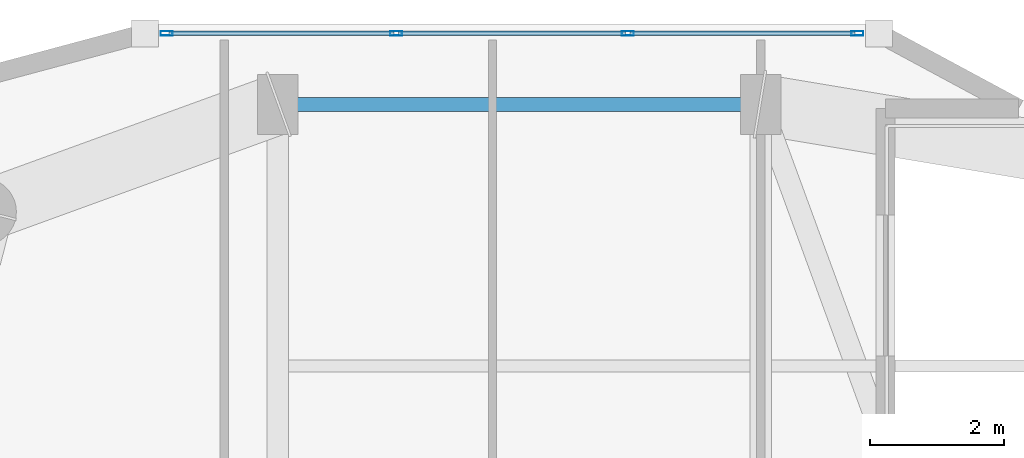
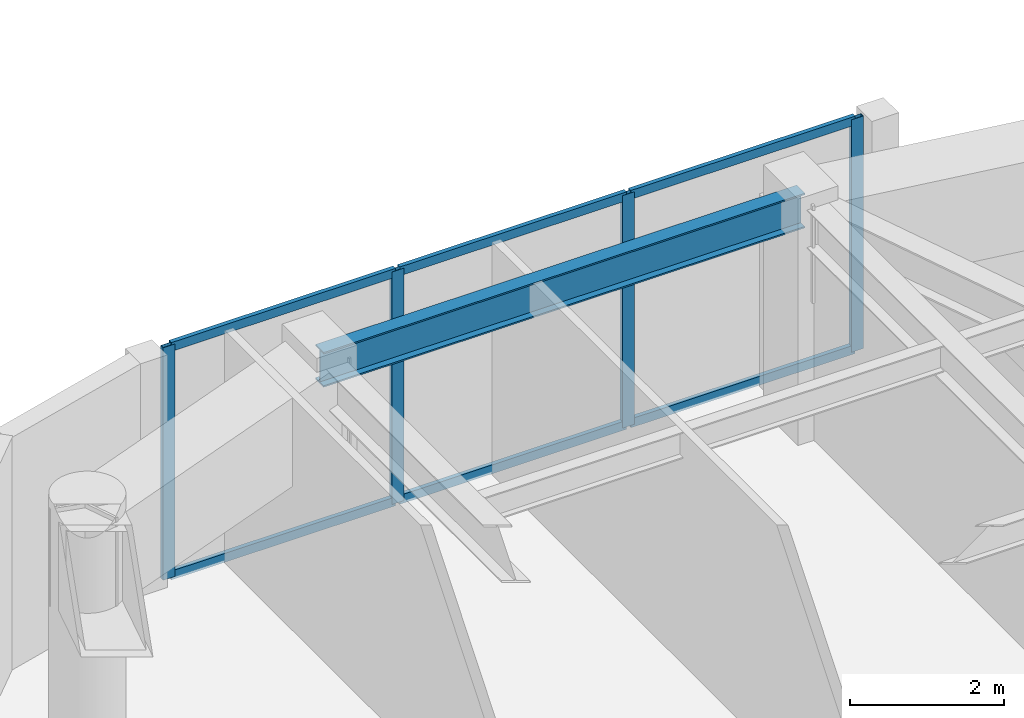
# One storey, part 10 of 22: 10 members, 1 beam, 1 element without a shape of its own.
"""IFC4 building model written with IfcOpenShell, lengths in metres."""

from ifc_helpers import new_model, si_unit, direction, frame, origin, origin_2d, place, context, subcontext, project, spatial, hollow_rectangle, i_section, extrude, material, layer, layer_set, material_profile, profile_set, type_object, element, aggregate, save


model = new_model("IFC4")

# Units and contexts
model_context = context("Model", 3, precision=1e-05, world=origin(), true_north=direction((0.0, 1.0)))
body_context = subcontext(model_context, "Body", "Model", "MODEL_VIEW")
ifc_project = project(units=[si_unit("LENGTHUNIT", "METRE"), si_unit("AREAUNIT", "SQUARE_METRE"), si_unit("VOLUMEUNIT", "CUBIC_METRE"), si_unit("PLANEANGLEUNIT", "RADIAN"), si_unit("MASSUNIT", "GRAM", prefix="KILO")], contexts=[model_context])

# Site, building, storey
site_placement = place(None, origin())
site = spatial("IfcSite", under=ifc_project, at=site_placement, CompositionType="ELEMENT")
building_placement = place(site_placement, origin())
building = spatial("IfcBuilding", under=site, at=building_placement, Name="Kiyonajd Concourse Tower", CompositionType="ELEMENT")
storey_placement = place(building_placement, frame((0.0, 0.0, 243.300048828125)))
storey = spatial("IfcBuildingStorey", under=building, at=storey_placement, Name="L61", CompositionType="ELEMENT", Elevation=243.300048828125)

# Beam
ifc_material_1 = material(Name="Steel ASTM A992 Grade 50", Category="steel")
ifc_material_profile_1 = material_profile(ifc_material_1, i_section(OverallWidth=0.214111328125, OverallDepth=0.549072265625, WebThickness=0.0146484375, FlangeThickness=0.023681640625, at=origin_2d()), Name="W530X138")
ifc_profile_set_1 = profile_set([ifc_material_profile_1], Name="Steel ASTM A992 Grade 50")
beam_type = type_object("IfcBeamType", Name="BM-SPAN-530A", PredefinedType="SPANDREL", material=ifc_profile_set_1)
beam_placement = place(storey_placement, frame((39.60009765625, 61.199951171875, 3.405517578125), z_axis=(-1.0, 0.0, 0.0), x_axis=(0.0, -1.0, 0.0)))
element("IfcBeam", 1, at=beam_placement, inside=storey, type_object=beam_type, Name="L61 Perimeter Bundled Tube Spandrel", PredefinedType="SPANDREL", context=body_context, shape_type="SweptSolid", body=[
    extrude(i_section(OverallWidth=0.214111328125, OverallDepth=0.549072265625, WebThickness=0.0146484375, FlangeThickness=0.023681640625, at=origin_2d()), origin(), (0.0, 0.0, 1.0), 7.2001953125),
])

# Curtain wall, members
ifc_material_2 = material(Name="Thermally Broken Anodised Aluminium", Category="aluminium")
ifc_layer = layer(ifc_material_2, 0.179931640625)
ifc_layer_set = layer_set([ifc_layer], Name="Thermally Broken Anodised Aluminium")
curtain_wall_type = type_object("IfcCurtainWallType", Name="CW-SYS-04", PredefinedType="NOTDEFINED", material=ifc_layer_set)
curtain_wall_placement = place(storey_placement, origin())
curtain_wall = element("IfcCurtainWall", 2, at=curtain_wall_placement, inside=storey, type_object=curtain_wall_type, Name="L61 Unitised Curtain Wall CW4", PredefinedType="NOTDEFINED")
ifc_material_profile_2 = material_profile(ifc_material_2, hollow_rectangle(XDim=0.06494140625, YDim=0.179931640625, WallThickness=0.00390625, at=origin_2d()), Name="MULL-65x180")
ifc_profile_set_2 = profile_set([ifc_material_profile_2], Name="Thermally Broken Anodised Aluminium")
member_type_1 = type_object("IfcMemberType", Name="MB-CW-MULL1", PredefinedType="MULLION", material=ifc_profile_set_2)
member_1_placement = place(storey_placement, frame((30.740966796875, 62.260009765625, 0.0), z_axis=(0.0, 0.0, 1.0), x_axis=(0.0, 1.0, 0.0)))
member_1 = element("IfcMember", 3, at=member_1_placement, type_object=member_type_1, Name="CW4 mullion 1", PredefinedType="MULLION", context=body_context, shape_type="SweptSolid", body=[
    extrude(hollow_rectangle(XDim=0.06494140625, YDim=0.179931640625, WallThickness=0.00390625, at=origin_2d()), origin(), (0.0, 0.0, 1.0), 3.679931640625),
])
member_2_placement = place(storey_placement, frame((34.163818359375, 62.260009765625, 0.0), z_axis=(0.0, 0.0, 1.0), x_axis=(0.0, 1.0, 0.0)))
member_2 = element("IfcMember", 4, at=member_2_placement, type_object=member_type_1, Name="CW4 mullion 2", PredefinedType="MULLION", context=body_context, shape_type="SweptSolid", body=[
    extrude(hollow_rectangle(XDim=0.06494140625, YDim=0.179931640625, WallThickness=0.00390625, at=origin_2d()), origin(), (0.0, 0.0, 1.0), 3.679931640625),
])
member_3_placement = place(storey_placement, frame((37.619384765625, 62.260009765625, 0.0), z_axis=(0.0, 0.0, 1.0), x_axis=(0.0, 1.0, 0.0)))
member_3 = element("IfcMember", 5, at=member_3_placement, type_object=member_type_1, Name="CW4 mullion 3", PredefinedType="MULLION", context=body_context, shape_type="SweptSolid", body=[
    extrude(hollow_rectangle(XDim=0.06494140625, YDim=0.179931640625, WallThickness=0.00390625, at=origin_2d()), origin(), (0.0, 0.0, 1.0), 3.679931640625),
])
member_4_placement = place(storey_placement, frame((41.042236328125, 62.260009765625, 0.0), z_axis=(0.0, 0.0, 1.0), x_axis=(0.0, 1.0, 0.0)))
member_4 = element("IfcMember", 6, at=member_4_placement, type_object=member_type_1, Name="CW4 mullion 4", PredefinedType="MULLION", context=body_context, shape_type="SweptSolid", body=[
    extrude(hollow_rectangle(XDim=0.06494140625, YDim=0.179931640625, WallThickness=0.00390625, at=origin_2d()), origin(), (0.0, 0.0, 1.0), 3.679931640625),
])
ifc_material_profile_3 = material_profile(ifc_material_2, hollow_rectangle(XDim=0.06494140625, YDim=0.139892578125, WallThickness=0.00390625, at=origin_2d()), Name="TRAN-65x140")
ifc_profile_set_3 = profile_set([ifc_material_profile_3], Name="Thermally Broken Anodised Aluminium")
member_type_2 = type_object("IfcMemberType", Name="MB-CW-TRAN1", PredefinedType="USERDEFINED", material=ifc_profile_set_3)
member_5_placement = place(storey_placement, frame((30.7734375, 62.260009765625, 0.032470703125), z_axis=(1.0, 0.0, 0.0), x_axis=(0.0, 1.0, 0.0)))
member_5 = element("IfcMember", 7, at=member_5_placement, type_object=member_type_2, Name="CW4 transom 1.1", ObjectType="TRANSOM", PredefinedType="USERDEFINED", context=body_context, shape_type="SweptSolid", body=[
    extrude(hollow_rectangle(XDim=0.06494140625, YDim=0.139892578125, WallThickness=0.00390625, at=origin_2d()), origin(), (0.0, 0.0, 1.0), 3.35791015625),
])
member_6_placement = place(storey_placement, frame((30.7734375, 62.260009765625, 3.6474609375), z_axis=(1.0, 0.0, 0.0), x_axis=(0.0, 1.0, 0.0)))
member_6 = element("IfcMember", 8, at=member_6_placement, type_object=member_type_2, Name="CW4 transom 1.2", ObjectType="TRANSOM", PredefinedType="USERDEFINED", context=body_context, shape_type="SweptSolid", body=[
    extrude(hollow_rectangle(XDim=0.06494140625, YDim=0.139892578125, WallThickness=0.00390625, at=origin_2d()), origin(), (0.0, 0.0, 1.0), 3.35791015625),
])
member_7_placement = place(storey_placement, frame((34.1962890625, 62.260009765625, 0.032470703125), z_axis=(1.0, 0.0, 0.0), x_axis=(0.0, 1.0, 0.0)))
member_7 = element("IfcMember", 9, at=member_7_placement, type_object=member_type_2, Name="CW4 transom 2.1", ObjectType="TRANSOM", PredefinedType="USERDEFINED", context=body_context, shape_type="SweptSolid", body=[
    extrude(hollow_rectangle(XDim=0.06494140625, YDim=0.139892578125, WallThickness=0.00390625, at=origin_2d()), origin(), (0.0, 0.0, 1.0), 3.390380859375),
])
member_8_placement = place(storey_placement, frame((34.1962890625, 62.260009765625, 3.6474609375), z_axis=(1.0, 0.0, 0.0), x_axis=(0.0, 1.0, 0.0)))
member_8 = element("IfcMember", 10, at=member_8_placement, type_object=member_type_2, Name="CW4 transom 2.2", ObjectType="TRANSOM", PredefinedType="USERDEFINED", context=body_context, shape_type="SweptSolid", body=[
    extrude(hollow_rectangle(XDim=0.06494140625, YDim=0.139892578125, WallThickness=0.00390625, at=origin_2d()), origin(), (0.0, 0.0, 1.0), 3.390380859375),
])
member_9_placement = place(storey_placement, frame((37.65185546875, 62.260009765625, 0.032470703125), z_axis=(1.0, 0.0, 0.0), x_axis=(0.0, 1.0, 0.0)))
member_9 = element("IfcMember", 11, at=member_9_placement, type_object=member_type_2, Name="CW4 transom 3.1", ObjectType="TRANSOM", PredefinedType="USERDEFINED", context=body_context, shape_type="SweptSolid", body=[
    extrude(hollow_rectangle(XDim=0.06494140625, YDim=0.139892578125, WallThickness=0.00390625, at=origin_2d()), origin(), (0.0, 0.0, 1.0), 3.35791015625),
])
member_10_placement = place(storey_placement, frame((37.65185546875, 62.260009765625, 3.6474609375), z_axis=(1.0, 0.0, 0.0), x_axis=(0.0, 1.0, 0.0)))
member_10 = element("IfcMember", 12, at=member_10_placement, type_object=member_type_2, Name="CW4 transom 3.2", ObjectType="TRANSOM", PredefinedType="USERDEFINED", context=body_context, shape_type="SweptSolid", body=[
    extrude(hollow_rectangle(XDim=0.06494140625, YDim=0.139892578125, WallThickness=0.00390625, at=origin_2d()), origin(), (0.0, 0.0, 1.0), 3.35791015625),
])
aggregate(curtain_wall, [member_1, member_2, member_3, member_4, member_5, member_6, member_7, member_8, member_9, member_10])

save(model, "model.ifc")
